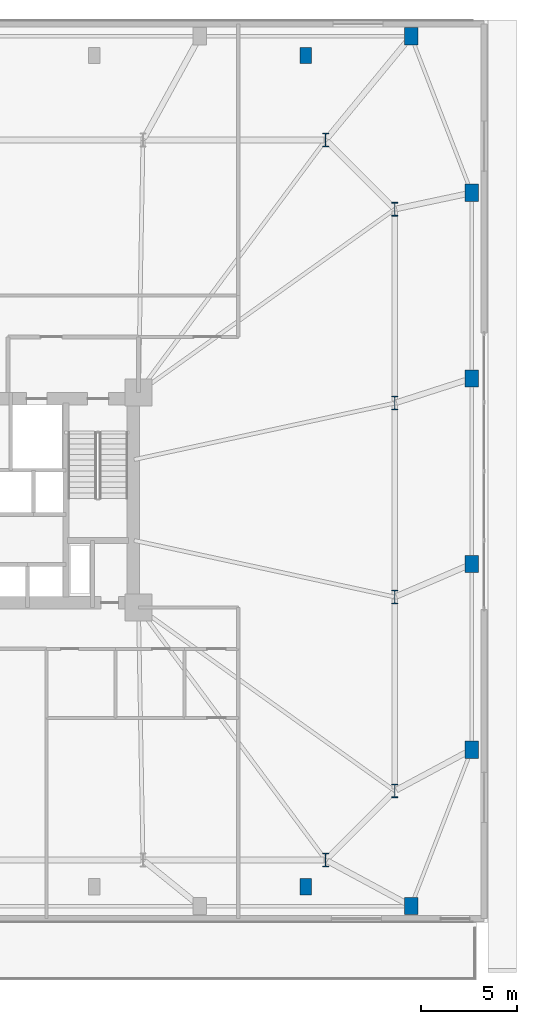
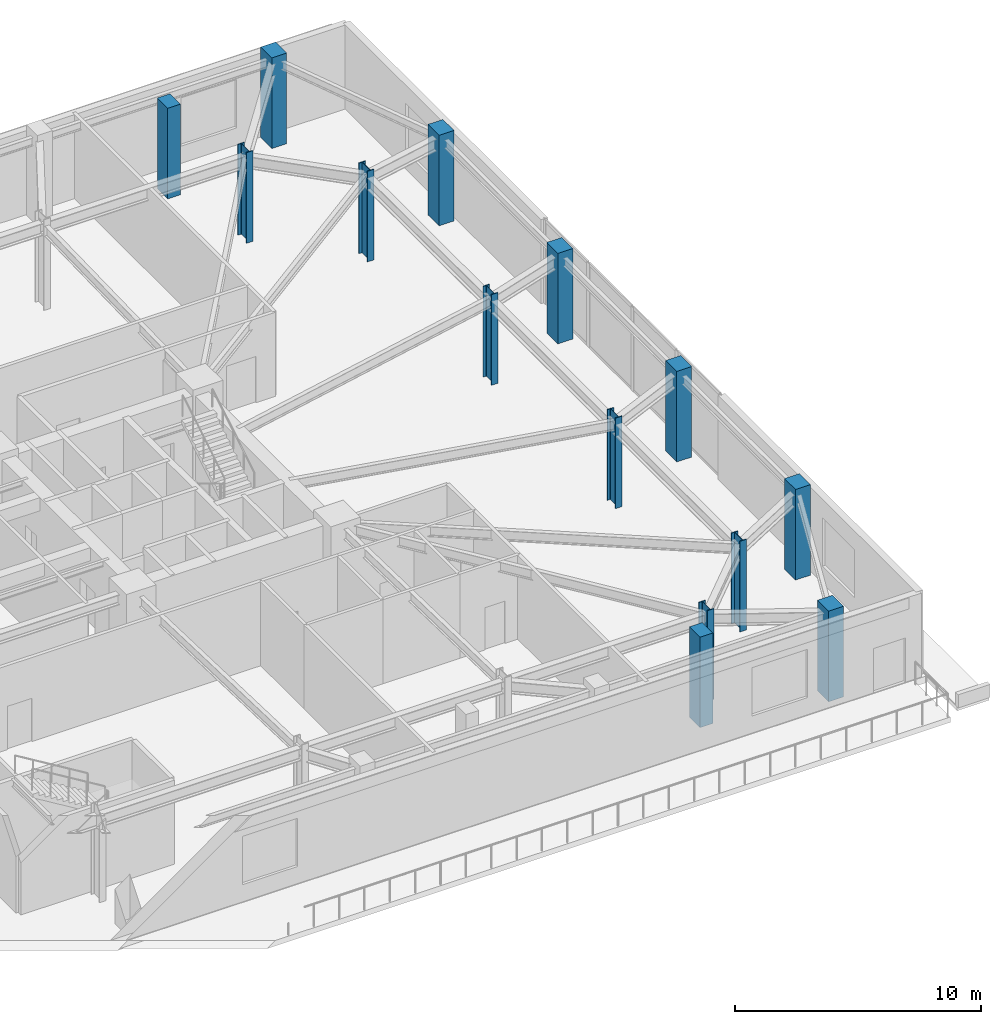
# One storey, part 3 of 21: 14 columns.
"""IFC4 building model written with IfcOpenShell, lengths in metres."""

from ifc_helpers import new_model, si_unit, direction, frame, origin, origin_2d, place, context, subcontext, project, spatial, rectangle, i_section, extrude, material, material_profile, profile_set, type_object, element, save


model = new_model("IFC4")

# Units and contexts
model_context = context("Model", 3, precision=1e-05, world=origin(), true_north=direction((0.0, 1.0)))
body_context = subcontext(model_context, "Body", "Model", "MODEL_VIEW")
ifc_project = project(units=[si_unit("LENGTHUNIT", "METRE"), si_unit("AREAUNIT", "SQUARE_METRE"), si_unit("VOLUMEUNIT", "CUBIC_METRE"), si_unit("PLANEANGLEUNIT", "RADIAN"), si_unit("MASSUNIT", "GRAM", prefix="KILO")], contexts=[model_context])

# Site, building, storey
site_placement = place(None, origin())
site = spatial("IfcSite", under=ifc_project, at=site_placement, CompositionType="ELEMENT")
building_placement = place(site_placement, origin())
building = spatial("IfcBuilding", under=site, at=building_placement, Name="Qobustan Lattice House", CompositionType="ELEMENT")
storey_placement = place(building_placement, frame((0.0, 0.0, 13.5)))
storey = spatial("IfcBuildingStorey", under=building, at=storey_placement, Name="L03", CompositionType="ELEMENT", Elevation=13.5)

# Columns
ifc_material_1 = material(Name="Concrete C50/60", Category="concrete")
ifc_material_profile_1 = material_profile(ifc_material_1, rectangle(XDim=0.60009765625, YDim=0.85009765625, at=origin_2d()), Name="RC600x850")
ifc_profile_set_1 = profile_set([ifc_material_profile_1], Name="Concrete C50/60")
column_type_1 = type_object("IfcColumnType", Name="COL-PIL-600x850", PredefinedType="PILASTER", material=ifc_profile_set_1)
for number, where, z_axis, x_axis, name in (
    (1, (27.5, -20.14990234375, 0.0), (0.0, 0.0, 1.0), (1.0, 0.0, 0.0), "L03 colonnade pilaster S4"),
    (2, (27.5, 23.14990234375, 0.0), (0.0, 0.0, 1.0), (1.0, 0.0, 0.0), "L03 colonnade pilaster N4"),
):
    element("IfcColumn", number, at=place(storey_placement, frame(where, z_axis=z_axis, x_axis=x_axis)), inside=storey, type_object=column_type_1, Name=name, PredefinedType="PILASTER", context=body_context, shape_type="SweptSolid", body=[
        extrude(rectangle(XDim=0.60009765625, YDim=0.85009765625, at=origin_2d()), origin(), (0.0, 0.0, 1.0), 4.5),
    ])
ifc_material_2 = material(Name="Concrete C50/60", Category="concrete")
ifc_material_profile_2 = material_profile(ifc_material_2, rectangle(XDim=0.699951171875, YDim=0.89990234375, at=origin_2d()), Name="RC700x900")
ifc_profile_set_2 = profile_set([ifc_material_profile_2], Name="Concrete C50/60")
column_type_2 = type_object("IfcColumnType", Name="COL-RC-700x900", PredefinedType="COLUMN", material=ifc_profile_set_2)
for number, where, z_axis, x_axis, name in (
    (3, (33.0, -21.14990234375, 0.0), (0.0, 0.0, 1.0), (1.0, 0.0, 0.0), "L03 podium column PS7"),
    (4, (33.0, 24.14990234375, 0.0), (0.0, 0.0, 1.0), (1.0, 0.0, 0.0), "L03 podium column PN7"),
    (5, (36.14990234375, -13.0, 0.0), (0.0, 0.0, 1.0), (1.0, 0.0, 0.0), "L03 podium column PE1"),
    (6, (36.14990234375, -3.333251953125, 0.0), (0.0, 0.0, 1.0), (1.0, 0.0, 0.0), "L03 podium column PE2"),
    (7, (36.14990234375, 6.33349609375, 0.0), (0.0, 0.0, 1.0), (1.0, 0.0, 0.0), "L03 podium column PE3"),
    (8, (36.14990234375, 16.0, 0.0), (0.0, 0.0, 1.0), (1.0, 0.0, 0.0), "L03 podium column PE4"),
):
    element("IfcColumn", number, at=place(storey_placement, frame(where, z_axis=z_axis, x_axis=x_axis)), inside=storey, type_object=column_type_2, Name=name, PredefinedType="COLUMN", context=body_context, shape_type="SweptSolid", body=[
        extrude(rectangle(XDim=0.699951171875, YDim=0.89990234375, at=origin_2d()), origin(), (0.0, 0.0, 1.0), 4.5),
    ])
ifc_material_3 = material(Name="Steel S460", Category="steel")
ifc_material_profile_3 = material_profile(ifc_material_3, i_section(OverallWidth=0.303955078125, OverallDepth=0.716064453125, WebThickness=0.02099609375, FlangeThickness=0.0400390625, FilletRadius=0.027099609375, at=origin_2d()), Name="HEM700")
ifc_profile_set_3 = profile_set([ifc_material_profile_3], Name="Steel S460")
column_type_3 = type_object("IfcColumnType", Name="COL-ST-HEM700", PredefinedType="COLUMN", material=ifc_profile_set_3)
for number, where, z_axis, x_axis, name in (
    (9, (28.550048828125, -18.75, 0.0), (0.0, 0.0, 1.0), (1.0, 0.0, 0.0), "L03 tower base column S7"),
    (10, (28.550048828125, 18.75, 0.0), (0.0, 0.0, 1.0), (1.0, 0.0, 0.0), "L03 tower base column N1"),
    (11, (32.14990234375, -15.14990234375, 0.0), (0.0, 0.0, 1.0), (1.0, 0.0, 0.0), "L03 tower base column E1"),
    (12, (32.14990234375, -5.050048828125, 0.0), (0.0, 0.0, 1.0), (1.0, 0.0, 0.0), "L03 tower base column E2"),
    (13, (32.14990234375, 5.050048828125, 0.0), (0.0, 0.0, 1.0), (1.0, 0.0, 0.0), "L03 tower base column E3"),
    (14, (32.14990234375, 15.14990234375, 0.0), (0.0, 0.0, 1.0), (1.0, 0.0, 0.0), "L03 tower base column E4"),
):
    element("IfcColumn", number, at=place(storey_placement, frame(where, z_axis=z_axis, x_axis=x_axis)), inside=storey, type_object=column_type_3, Name=name, PredefinedType="COLUMN", context=body_context, shape_type="SweptSolid", body=[
        extrude(i_section(OverallWidth=0.303955078125, OverallDepth=0.716064453125, WebThickness=0.02099609375, FlangeThickness=0.0400390625, FilletRadius=0.027099609375, at=origin_2d()), origin(), (0.0, 0.0, 1.0), 4.5),
    ])

save(model, "model.ifc")
